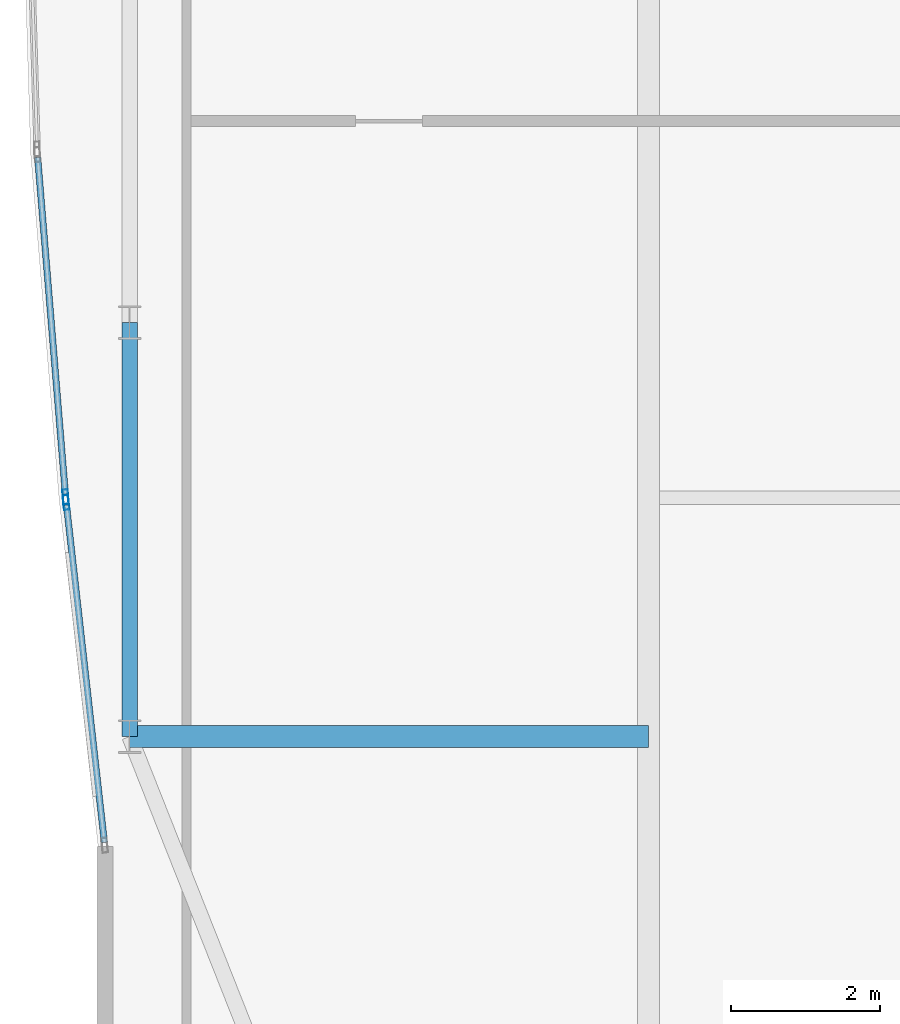
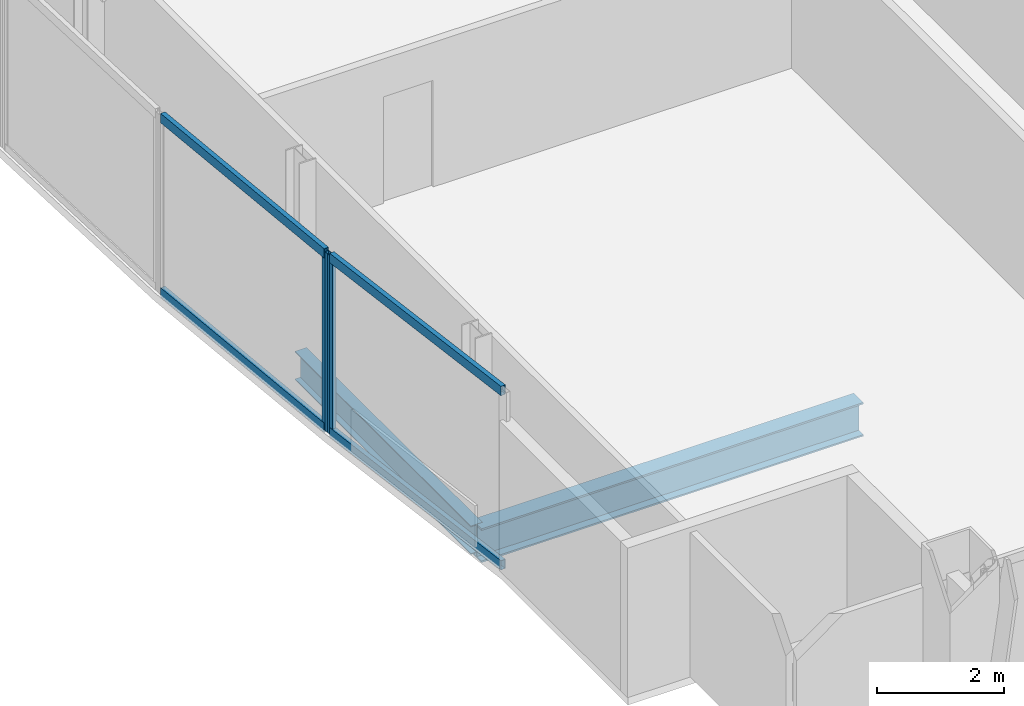
# One storey, part 5 of 25: 6 members, 2 beams, 2 elements without a shape of their own.
"""IFC4 building model written with IfcOpenShell, lengths in metres."""

import ifcopenshell
import ifcopenshell.guid

model = None  # the IFC model being written
_history = None  # IfcOwnerHistory: only IFC2X3 demands one
_inside = {}  # id of a spatial element -> (the spatial element, [elements in it])
_under = {}  # id of a project, library or spatial element -> (it, [spatial elements below it])
_declared = {}  # id of a project -> (the project, [libraries it declares])
_typed = {}  # id of a type object -> (the type object, [elements of that type])
_made_of = {}  # id of a material, layer set ... -> (it, [elements and type objects made of it])


def new_model(schema):
    """Start an empty IFC model of exactly this schema.

    Asked for "IFC4X3", IfcOpenShell would pick the latest addendum, in which some entities
    have other attributes; the version numbers below select the first issue.
    IFC2X3 requires an IfcOwnerHistory on every rooted entity: one is made here for all.
    """
    global model, _history
    if schema == "IFC4X3":
        model = ifcopenshell.file(schema_version=(4, 3, 0, 0))
    else:
        model = ifcopenshell.file(schema=schema)
    _inside.clear()
    _under.clear()
    _declared.clear()
    _typed.clear()
    _made_of.clear()
    _history = None
    if model.schema == "IFC2X3":
        org = make("IfcOrganization", Name="unknown")
        user = make(
            "IfcPersonAndOrganization",
            ThePerson=make("IfcPerson", FamilyName="unknown"),
            TheOrganization=org,
        )
        app = make(
            "IfcApplication",
            ApplicationDeveloper=org,
            Version="unknown",
            ApplicationFullName="unknown",
            ApplicationIdentifier="unknown",
        )
        _history = make(
            "IfcOwnerHistory",
            OwningUser=user,
            OwningApplication=app,
            ChangeAction="ADDED",
            CreationDate=0,
        )
    return model


def make(cls, **values):
    """One entity of the class cls with the attributes given. An attribute that is None is left unset."""
    return model.create_entity(
        cls, **{name: value for name, value in values.items() if value is not None}
    )


def rooted(cls, **values):
    """An entity with a GlobalId (a new one), such as an element, a storey or a relation."""
    return make(cls, GlobalId=ifcopenshell.guid.new(), OwnerHistory=_history, **values)


def si_unit(unit_type, name, prefix=None):
    """IfcSIUnit, for example si_unit("LENGTHUNIT", "METRE", prefix="MILLI")."""
    return make("IfcSIUnit", UnitType=unit_type, Prefix=prefix, Name=name)


def assignment(units):
    """IfcUnitAssignment: the units of a project."""
    return None if units is None else make("IfcUnitAssignment", Units=units)


def point(xyz):
    """IfcCartesianPoint."""
    return None if xyz is None else make("IfcCartesianPoint", Coordinates=xyz)


def direction(xyz):
    """IfcDirection."""
    return None if xyz is None else make("IfcDirection", DirectionRatios=xyz)


def frame(location, z_axis=None, x_axis=None):
    """IfcAxis2Placement3D, a coordinate frame: its origin and axes. An axis left out is left unset."""
    return make(
        "IfcAxis2Placement3D",
        Location=point(location),
        Axis=direction(z_axis),
        RefDirection=direction(x_axis),
    )


def frame_2d(location, x_axis=None):
    """IfcAxis2Placement2D, a coordinate frame in the plane: its origin and x axis."""
    return make(
        "IfcAxis2Placement2D", Location=point(location), RefDirection=direction(x_axis)
    )


def origin():
    """The frame at (0, 0, 0) with its axes left unset."""
    return frame((0.0, 0.0, 0.0))


def origin_2d():
    """The frame at (0, 0) in the plane with its x axis left unset."""
    return frame_2d((0.0, 0.0))


def place(relative_to, where):
    """IfcLocalPlacement: puts the frame where relative to a parent placement (None: the world)."""
    return make(
        "IfcLocalPlacement", PlacementRelTo=relative_to, RelativePlacement=where
    )


def context(
    kind, dimensions, precision=None, world=None, true_north=None, identifier=None
):
    """IfcGeometricRepresentationContext, for example the 3D "Model" context."""
    return make(
        "IfcGeometricRepresentationContext",
        ContextIdentifier=identifier,
        ContextType=kind,
        CoordinateSpaceDimension=dimensions,
        Precision=precision,
        WorldCoordinateSystem=world,
        TrueNorth=true_north,
    )


def subcontext(parent, identifier, kind, view, scale=None):
    """IfcGeometricRepresentationSubContext, for example "Body" below "Model"."""
    return make(
        "IfcGeometricRepresentationSubContext",
        ContextIdentifier=identifier,
        ContextType=kind,
        ParentContext=parent,
        TargetScale=scale,
        TargetView=view,
    )


def project(units=None, contexts=None):
    """IfcProject with its units and contexts."""
    return rooted(
        "IfcProject",
        Name="project",
        RepresentationContexts=contexts,
        UnitsInContext=assignment(units),
    )


def spatial(cls, under=None, at=None, **own):
    """A site, building, storey or space (cls), placed at a placement, below another one or the project."""
    s = rooted(cls, ObjectPlacement=at, **own)
    if under is not None:
        _under.setdefault(under.id(), (under, []))[1].append(s)
    return s


def profile(cls, at=None, kind="AREA", **sizes):
    """A parametric profile (cls). Its sizes go by their IFC names, for example OverallWidth=200.0."""
    return make(cls, ProfileType=kind, Position=at, **sizes)


def hollow_rectangle(**sizes):
    """IfcRectangleHollowProfileDef."""
    return profile("IfcRectangleHollowProfileDef", **sizes)


def i_section(**sizes):
    """IfcIShapeProfileDef."""
    return profile("IfcIShapeProfileDef", **sizes)


def extrude(swept, where, along, depth):
    """IfcExtrudedAreaSolid: the profile swept, set in the frame where, extruded along a direction by depth."""
    return make(
        "IfcExtrudedAreaSolid",
        SweptArea=swept,
        Position=where,
        ExtrudedDirection=direction(along),
        Depth=depth,
    )


def shape(context_of_items, identifier, shape_type, items):
    """IfcShapeRepresentation: the items that make up one representation, for example the "Body"."""
    return make(
        "IfcShapeRepresentation",
        ContextOfItems=context_of_items,
        RepresentationIdentifier=identifier,
        RepresentationType=shape_type,
        Items=items,
    )


def material(Name=None, Category=None):
    """IfcMaterial."""
    return make("IfcMaterial", Name=Name, Category=Category)


def material_profile(
    of_material, cross_section, Name=None, Category=None, Priority=None
):
    """IfcMaterialProfile: a cross section and its material."""
    return make(
        "IfcMaterialProfile",
        Name=Name,
        Material=of_material,
        Profile=cross_section,
        Priority=Priority,
        Category=Category,
    )


def profile_set(profiles, Name=None, composite=None):
    """IfcMaterialProfileSet."""
    return make(
        "IfcMaterialProfileSet",
        Name=Name,
        MaterialProfiles=profiles,
        CompositeProfile=composite,
    )


def made_of(thing, what):
    """Note that an element or type object is made of a material, layer set ...; save() writes the relation."""
    if what is not None:
        _made_of.setdefault(what.id(), (what, []))[1].append(thing)
    return thing


def type_object(cls, material=None, **own):
    """A type object (cls), such as IfcWallType, which elements share."""
    return made_of(rooted(cls, **own), material)


def element(
    cls,
    number,
    at=None,
    inside=None,
    cuts=None,
    type_object=None,
    material=None,
    context=None,
    identifier="Body",
    shape_type=None,
    held_by="IfcProductDefinitionShape",
    body=None,
    shapes=None,
    **own,
):
    """One element of the class cls, such as IfcWall. Its Tag is "e" and its number.

    at: its placement. inside: the storey or other place that contains it. cuts: it is an
    opening in that element (IfcRelVoidsElement). A single representation is given by context,
    identifier, shape_type and body (its items); several are given by shapes. held_by: the class
    of the entity that holds the representations. save() writes the other relations.
    """
    e = rooted(cls, Tag="e%d" % number, ObjectPlacement=at, **own)
    if body is not None:
        shapes = [shape(context, identifier, shape_type, body)]
    if shapes is not None:
        e.Representation = make(held_by, Representations=shapes)
    if inside is not None:
        _inside.setdefault(inside.id(), (inside, []))[1].append(e)
    if cuts is not None:
        rooted(
            "IfcRelVoidsElement", RelatingBuildingElement=cuts, RelatedOpeningElement=e
        )
    if type_object is not None:
        _typed.setdefault(type_object.id(), (type_object, []))[1].append(e)
    return made_of(e, material)


def aggregate(whole, parts):
    """IfcRelAggregates: a whole, such as a stair, and the parts it consists of."""
    return rooted("IfcRelAggregates", RelatingObject=whole, RelatedObjects=parts)


def save(model, path):
    """Write the relations noted so far, then the file.

    IfcRelAggregates (storeys below a building ...), IfcRelContainedInSpatialStructure (elements
    in a storey), IfcRelDefinesByType, IfcRelAssociatesMaterial and IfcRelDeclares: one each for
    every whole, place, type object, material and project.
    """
    for whole, parts in _under.values():
        aggregate(whole, parts)
    for where, things in _inside.values():
        rooted(
            "IfcRelContainedInSpatialStructure",
            RelatedElements=things,
            RelatingStructure=where,
        )
    for kind, things in _typed.values():
        rooted("IfcRelDefinesByType", RelatedObjects=things, RelatingType=kind)
    for what, things in _made_of.values():
        rooted("IfcRelAssociatesMaterial", RelatedObjects=things, RelatingMaterial=what)
    for by, libraries in _declared.values():
        rooted("IfcRelDeclares", RelatingContext=by, RelatedDefinitions=libraries)
    model.write(path)


model = new_model("IFC4")

# Units and contexts
model_context = context("Model", 3, precision=1e-05, world=origin(), true_north=direction((0.0, 1.0)))
body_context = subcontext(model_context, "Body", "Model", "MODEL_VIEW")
ifc_project = project(units=[si_unit("LENGTHUNIT", "METRE"), si_unit("AREAUNIT", "SQUARE_METRE"), si_unit("VOLUMEUNIT", "CUBIC_METRE"), si_unit("PLANEANGLEUNIT", "RADIAN"), si_unit("MASSUNIT", "GRAM", prefix="KILO")], contexts=[model_context])

# Site, building, storey
site_placement = place(None, origin())
site = spatial("IfcSite", under=ifc_project, at=site_placement, CompositionType="ELEMENT")
building_placement = place(site_placement, origin())
building = spatial("IfcBuilding", under=site, at=building_placement, Name="Khoronbel Lancet Exchange", CompositionType="ELEMENT")
storey_placement = place(building_placement, frame((0.0, 0.0, 298.60009765625)))
storey = spatial("IfcBuildingStorey", under=building, at=storey_placement, Name="L77", CompositionType="ELEMENT", Elevation=298.60009765625)

# Beams
ifc_material_1 = material(Name="Steel S355", Category="steel")
ifc_material_profile_1 = material_profile(ifc_material_1, i_section(OverallWidth=0.300048828125, OverallDepth=0.64990234375, WebThickness=0.01611328125, FlangeThickness=0.031005859375, at=origin_2d()), Name="HEB 650")
ifc_profile_set_1 = profile_set([ifc_material_profile_1], Name="Steel S355")
beam_type_1 = type_object("IfcBeamType", Name="BM-BG4", PredefinedType="BEAM", material=ifc_profile_set_1)
beam_1_placement = place(storey_placement, frame((11.27001953125, 19.199951171875, -0.485107421875), z_axis=(1.0, 0.0, 0.0), x_axis=(0.0, 1.0, 0.0)))
element("IfcBeam", 1, at=beam_1_placement, inside=storey, type_object=beam_type_1, Name="Level L77 west lens tie girder LG1W", PredefinedType="BEAM", context=body_context, shape_type="SweptSolid", body=[
    extrude(i_section(OverallWidth=0.300048828125, OverallDepth=0.64990234375, WebThickness=0.01611328125, FlangeThickness=0.031005859375, at=origin_2d()), origin(), (0.0, 0.0, 1.0), 6.955078125),
])
ifc_material_profile_2 = material_profile(ifc_material_1, i_section(OverallWidth=0.2099609375, OverallDepth=0.550048828125, WebThickness=0.010986328125, FlangeThickness=0.01708984375, at=origin_2d()), Name="IPE 550")
ifc_profile_set_2 = profile_set([ifc_material_profile_2], Name="Steel S355")
beam_type_2 = type_object("IfcBeamType", Name="BM-BSP3", PredefinedType="SPANDREL", material=ifc_profile_set_2)
beam_2_placement = place(storey_placement, frame((11.27001953125, 24.75, -0.43505859375), z_axis=(0.0, -1.0, 0.0), x_axis=(1.0, 0.0, 0.0)))
element("IfcBeam", 2, at=beam_2_placement, inside=storey, type_object=beam_type_2, Name="Level L77 perimeter spandrel beam SP20", PredefinedType="SPANDREL", context=body_context, shape_type="SweptSolid", body=[
    extrude(i_section(OverallWidth=0.2099609375, OverallDepth=0.550048828125, WebThickness=0.010986328125, FlangeThickness=0.01708984375, at=origin_2d()), origin(), (0.0, 0.0, 1.0), 5.550048828125),
])

# Curtain wall, member
ifc_material_2 = material(Name="Low-E Solar Control Insulating Glass", Category="glass")
curtain_wall_type = type_object("IfcCurtainWallType", Name="CW-4", PredefinedType="NOTDEFINED", material=ifc_material_2)
curtain_wall_1_placement = place(storey_placement, origin())
curtain_wall_1 = element("IfcCurtainWall", 3, at=curtain_wall_1_placement, inside=storey, type_object=curtain_wall_type, Name="Unitised curtain wall CW-L77-E04", PredefinedType="NOTDEFINED")
ifc_material_3 = material(Name="Bronze-Anodised Aluminium 6063-T6", Category="aluminium")
ifc_material_profile_3 = material_profile(ifc_material_3, hollow_rectangle(XDim=0.074951171875, YDim=0.199951171875, WallThickness=0.0048828125, at=origin_2d()), Name="ALU MULLION 75x200")
ifc_profile_set_3 = profile_set([ifc_material_profile_3], Name="Bronze-Anodised Aluminium 6063-T6")
member_type_1 = type_object("IfcMemberType", Name="MEM-CWM2", PredefinedType="MULLION", material=ifc_profile_set_3)
member_1_placement = place(storey_placement, frame((10.418701171875, 22.338134765625, 0.0), z_axis=(0.0, 0.0, 1.0), x_axis=(-0.993731788903, -0.111790570813, 0.0)))
member_1 = element("IfcMember", 4, at=member_1_placement, type_object=member_type_1, Name="CW4 mullion 2", PredefinedType="MULLION", context=body_context, shape_type="SweptSolid", body=[
    extrude(hollow_rectangle(XDim=0.074951171875, YDim=0.199951171875, WallThickness=0.0048828125, at=origin_2d()), origin(), (0.0, 0.0, 1.0), 3.43994140625),
])

curtain_wall_2_placement = place(storey_placement, origin())
curtain_wall_2 = element("IfcCurtainWall", 5, at=curtain_wall_2_placement, inside=storey, type_object=curtain_wall_type, Name="Unitised curtain wall CW-L77-E05", PredefinedType="NOTDEFINED")
member_2_placement = place(storey_placement, frame((10.41162109375, 22.412841796875, 0.0), z_axis=(0.0, 0.0, 1.0), x_axis=(-0.996626353667, -0.082072596992, 0.0)))
member_2 = element("IfcMember", 6, at=member_2_placement, type_object=member_type_1, Name="CW4 mullion 1", PredefinedType="MULLION", context=body_context, shape_type="SweptSolid", body=[
    extrude(hollow_rectangle(XDim=0.074951171875, YDim=0.199951171875, WallThickness=0.0048828125, at=origin_2d()), origin(), (0.0, 0.0, 1.0), 3.43994140625),
])

# Member
ifc_material_profile_4 = material_profile(ifc_material_3, hollow_rectangle(XDim=0.0849609375, YDim=0.179931640625, WallThickness=0.0048828125, at=origin_2d()), Name="ALU TRANSOM 85x180")
ifc_profile_set_4 = profile_set([ifc_material_profile_4], Name="Bronze-Anodised Aluminium 6063-T6")
member_type_2 = type_object("IfcMemberType", Name="MEM-CWT1", PredefinedType="USERDEFINED", material=ifc_profile_set_4)
member_3_placement = place(storey_placement, frame((10.931640625, 17.779541015625, 0.04248046875), z_axis=(-0.111774239585, 0.993733625961, 0.0), x_axis=(-0.993733625961, -0.111774239585, 0.0)))
member_3 = element("IfcMember", 7, at=member_3_placement, type_object=member_type_2, Name="CW4 transom 1.1", ObjectType="TRANSOM", PredefinedType="USERDEFINED", context=body_context, shape_type="SweptSolid", body=[
    extrude(hollow_rectangle(XDim=0.0849609375, YDim=0.179931640625, WallThickness=0.0048828125, at=origin_2d()), origin(), (0.0, 0.0, 1.0), 4.5498046875),
])

member_4_placement = place(storey_placement, frame((10.931640625, 17.779541015625, 3.3974609375), z_axis=(-0.111774239585, 0.993733625961, 0.0), x_axis=(-0.993733625961, -0.111774239585, 0.0)))
member_4 = element("IfcMember", 8, at=member_4_placement, type_object=member_type_2, Name="CW4 transom 1.2", ObjectType="TRANSOM", PredefinedType="USERDEFINED", context=body_context, shape_type="SweptSolid", body=[
    extrude(hollow_rectangle(XDim=0.0849609375, YDim=0.179931640625, WallThickness=0.0048828125, at=origin_2d()), origin(), (0.0, 0.0, 1.0), 4.5498046875),
])

aggregate(curtain_wall_1, [member_1, member_3, member_4])

member_5_placement = place(storey_placement, frame((10.408447265625, 22.4501953125, 0.04248046875), z_axis=(-0.082050526111, 0.996628170967, 0.0), x_axis=(-0.996628170967, -0.082050526111, 0.0)))
member_5 = element("IfcMember", 9, at=member_5_placement, type_object=member_type_2, Name="CW4 transom 1.1", ObjectType="TRANSOM", PredefinedType="USERDEFINED", context=body_context, shape_type="SweptSolid", body=[
    extrude(hollow_rectangle(XDim=0.0849609375, YDim=0.179931640625, WallThickness=0.0048828125, at=origin_2d()), origin(), (0.0, 0.0, 1.0), 4.52880859375),
])

member_6_placement = place(storey_placement, frame((10.408447265625, 22.4501953125, 3.3974609375), z_axis=(-0.082050526111, 0.996628170967, 0.0), x_axis=(-0.996628170967, -0.082050526111, 0.0)))
member_6 = element("IfcMember", 10, at=member_6_placement, type_object=member_type_2, Name="CW4 transom 1.2", ObjectType="TRANSOM", PredefinedType="USERDEFINED", context=body_context, shape_type="SweptSolid", body=[
    extrude(hollow_rectangle(XDim=0.0849609375, YDim=0.179931640625, WallThickness=0.0048828125, at=origin_2d()), origin(), (0.0, 0.0, 1.0), 4.52880859375),
])

aggregate(curtain_wall_2, [member_2, member_5, member_6])

save(model, "model.ifc")
